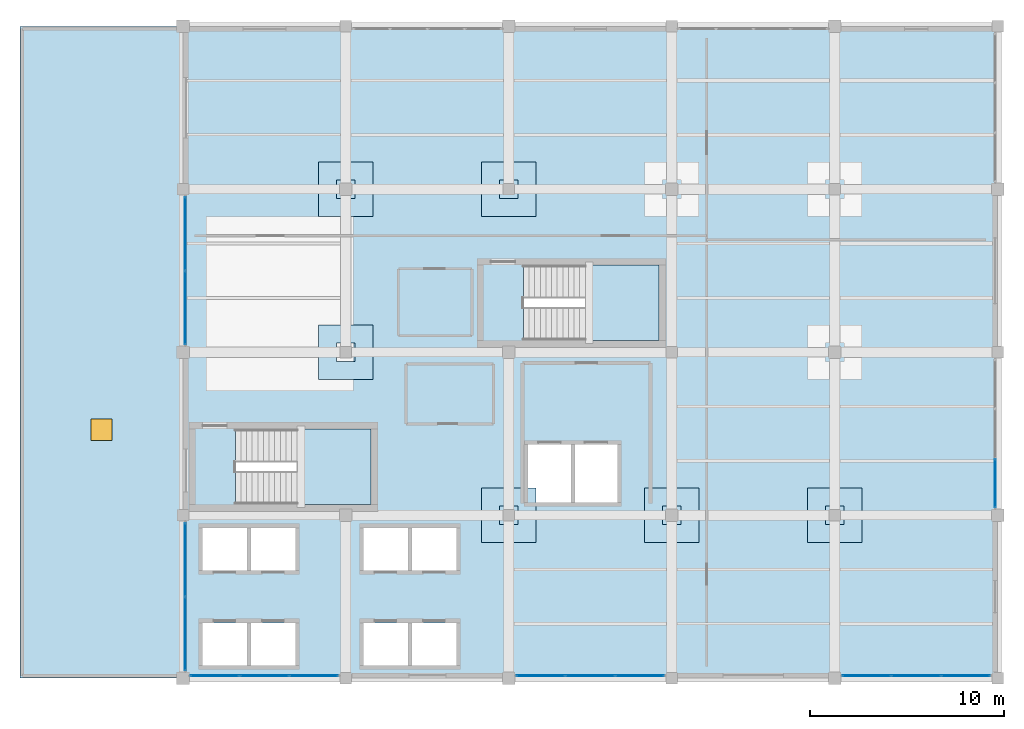
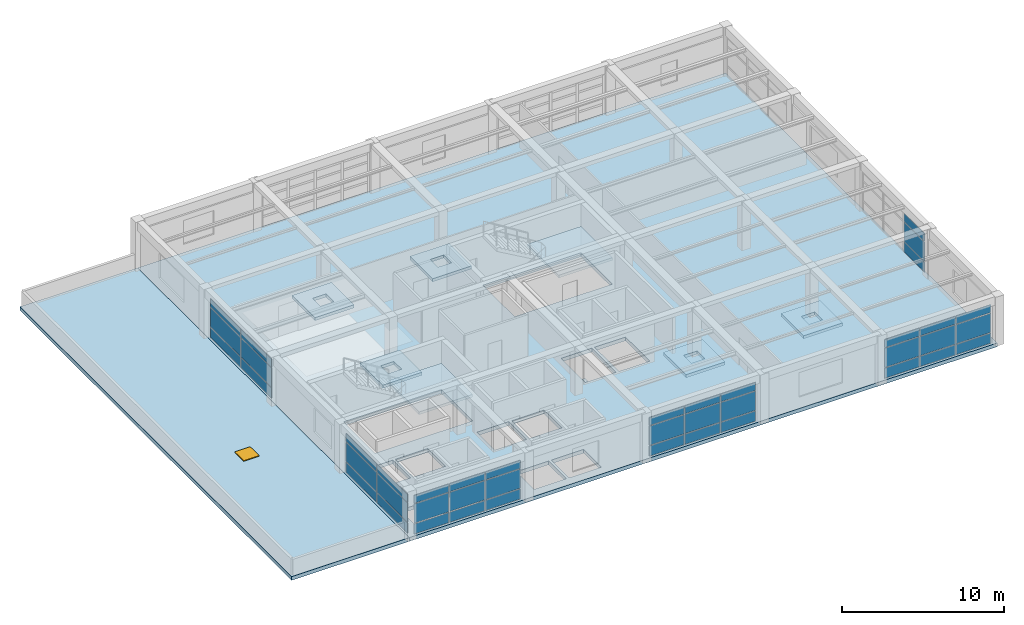
# One storey, part 22 of 26: 42 plates, 10 slabs, 1 door, 1 opening, 8 elements without a shape of their own.
"""IFC4 building model written with IfcOpenShell, lengths in metres."""

from ifc_helpers import new_model, si_unit, direction, frame, origin, origin_2d, place, context, subcontext, project, spatial, polyline, rectangle, outline, extrude, material, layer, layer_set, type_object, element, fill, aggregate, save


model = new_model("IFC4")

# Units and contexts
model_context = context("Model", 3, precision=1e-05, world=origin(), true_north=direction((0.0, 1.0)))
body_context = subcontext(model_context, "Body", "Model", "MODEL_VIEW")
ifc_project = project(units=[si_unit("LENGTHUNIT", "METRE"), si_unit("AREAUNIT", "SQUARE_METRE"), si_unit("VOLUMEUNIT", "CUBIC_METRE"), si_unit("PLANEANGLEUNIT", "RADIAN"), si_unit("MASSUNIT", "GRAM", prefix="KILO")], contexts=[model_context])

# Site, building, storey
site_placement = place(None, origin())
site = spatial("IfcSite", under=ifc_project, at=site_placement, CompositionType="ELEMENT")
building_placement = place(site_placement, origin())
building = spatial("IfcBuilding", under=site, at=building_placement, Name="Almacenes y Pasaje Nevantli", CompositionType="ELEMENT")
storey_placement = place(building_placement, frame((0.0, 0.0, 42.699951171875)))
storey = spatial("IfcBuildingStorey", under=building, at=storey_placement, Name="L10", CompositionType="ELEMENT", Elevation=42.699951171875)

# Curtain wall, plates
ifc_material_1 = material(Name="Thermally Broken Aluminium and Low-E Glass", Category="aluminium")
curtain_wall_type = type_object("IfcCurtainWallType", Name="CW-UNIT-TOWER", PredefinedType="USERDEFINED", material=ifc_material_1)
curtain_wall_1_placement = place(storey_placement, origin())
curtain_wall_1 = element("IfcCurtainWall", 1, at=curtain_wall_1_placement, inside=storey, type_object=curtain_wall_type, Name="L10 Tower South Unitized Curtain Wall Bay 15", ObjectType="UNITIZED CURTAIN WALL", PredefinedType="USERDEFINED")
ifc_material_2 = material(Name="Low-E Double Glazed Insulated Unit", Category="glass")
ifc_layer_1 = layer(ifc_material_2, 0.031982421875)
ifc_layer_set_1 = layer_set([ifc_layer_1], Name="Low-E Double Glazed Insulated Unit")
plate_type_1 = type_object("IfcPlateType", Name="PL-IGU-32", PredefinedType="CURTAIN_PANEL", material=ifc_layer_set_1)
plate_1_placement = place(storey_placement, frame((119.248291015625, 67.320068359375, 0.06005859375), z_axis=(0.0, 0.0, 1.0), x_axis=(1.0, 0.0, 0.0)))
plate_1 = element("IfcPlate", 2, at=plate_1_placement, type_object=plate_type_1, Name="CW-L10-141 panel 1.1", PredefinedType="CURTAIN_PANEL", context=body_context, shape_type="SweptSolid", body=[
    extrude(rectangle(XDim=2.4765625, YDim=0.031982421875, at=origin_2d()), origin(), (0.0, 0.0, 1.0), 0.760009765625),
])
plate_2_placement = place(storey_placement, frame((119.248291015625, 67.320068359375, 0.880126953125), z_axis=(0.0, 0.0, 1.0), x_axis=(1.0, 0.0, 0.0)))
plate_2 = element("IfcPlate", 3, at=plate_2_placement, type_object=plate_type_1, Name="CW-L10-141 panel 1.2", PredefinedType="CURTAIN_PANEL", context=body_context, shape_type="SweptSolid", body=[
    extrude(rectangle(XDim=2.4765625, YDim=0.031982421875, at=origin_2d()), origin(), (0.0, 0.0, 1.0), 1.43994140625),
])
plate_3_placement = place(storey_placement, frame((119.248291015625, 67.320068359375, 2.3798828125), z_axis=(0.0, 0.0, 1.0), x_axis=(1.0, 0.0, 0.0)))
plate_3 = element("IfcPlate", 4, at=plate_3_placement, type_object=plate_type_1, Name="CW-L10-141 panel 1.3", PredefinedType="CURTAIN_PANEL", context=body_context, shape_type="SweptSolid", body=[
    extrude(rectangle(XDim=2.4765625, YDim=0.031982421875, at=origin_2d()), origin(), (0.0, 0.0, 1.0), 0.60009765625),
])
plate_4_placement = place(storey_placement, frame((121.800048828125, 67.320068359375, 0.06005859375), z_axis=(0.0, 0.0, 1.0), x_axis=(1.0, 0.0, 0.0)))
plate_4 = element("IfcPlate", 5, at=plate_4_placement, type_object=plate_type_1, Name="CW-L10-141 panel 2.1", PredefinedType="CURTAIN_PANEL", context=body_context, shape_type="SweptSolid", body=[
    extrude(rectangle(XDim=2.506591796875, YDim=0.031982421875, at=origin_2d()), origin(), (0.0, 0.0, 1.0), 0.760009765625),
])
plate_5_placement = place(storey_placement, frame((121.800048828125, 67.320068359375, 0.880126953125), z_axis=(0.0, 0.0, 1.0), x_axis=(1.0, 0.0, 0.0)))
plate_5 = element("IfcPlate", 6, at=plate_5_placement, type_object=plate_type_1, Name="CW-L10-141 panel 2.2", PredefinedType="CURTAIN_PANEL", context=body_context, shape_type="SweptSolid", body=[
    extrude(rectangle(XDim=2.506591796875, YDim=0.031982421875, at=origin_2d()), origin(), (0.0, 0.0, 1.0), 1.43994140625),
])
plate_6_placement = place(storey_placement, frame((121.800048828125, 67.320068359375, 2.3798828125), z_axis=(0.0, 0.0, 1.0), x_axis=(1.0, 0.0, 0.0)))
plate_6 = element("IfcPlate", 7, at=plate_6_placement, type_object=plate_type_1, Name="CW-L10-141 panel 2.3", PredefinedType="CURTAIN_PANEL", context=body_context, shape_type="SweptSolid", body=[
    extrude(rectangle(XDim=2.506591796875, YDim=0.031982421875, at=origin_2d()), origin(), (0.0, 0.0, 1.0), 0.60009765625),
])
plate_7_placement = place(storey_placement, frame((124.3515625, 67.320068359375, 0.06005859375), z_axis=(0.0, 0.0, 1.0), x_axis=(1.0, 0.0, 0.0)))
plate_7 = element("IfcPlate", 8, at=plate_7_placement, type_object=plate_type_1, Name="CW-L10-141 panel 3.1", PredefinedType="CURTAIN_PANEL", context=body_context, shape_type="SweptSolid", body=[
    extrude(rectangle(XDim=2.4765625, YDim=0.031982421875, at=origin_2d()), origin(), (0.0, 0.0, 1.0), 0.760009765625),
])
plate_8_placement = place(storey_placement, frame((124.3515625, 67.320068359375, 0.880126953125), z_axis=(0.0, 0.0, 1.0), x_axis=(1.0, 0.0, 0.0)))
plate_8 = element("IfcPlate", 9, at=plate_8_placement, type_object=plate_type_1, Name="CW-L10-141 panel 3.2", PredefinedType="CURTAIN_PANEL", context=body_context, shape_type="SweptSolid", body=[
    extrude(rectangle(XDim=2.4765625, YDim=0.031982421875, at=origin_2d()), origin(), (0.0, 0.0, 1.0), 1.43994140625),
])
plate_9_placement = place(storey_placement, frame((124.3515625, 67.320068359375, 2.3798828125), z_axis=(0.0, 0.0, 1.0), x_axis=(1.0, 0.0, 0.0)))
plate_9 = element("IfcPlate", 10, at=plate_9_placement, type_object=plate_type_1, Name="CW-L10-141 panel 3.3", PredefinedType="CURTAIN_PANEL", context=body_context, shape_type="SweptSolid", body=[
    extrude(rectangle(XDim=2.4765625, YDim=0.031982421875, at=origin_2d()), origin(), (0.0, 0.0, 1.0), 0.60009765625),
])
aggregate(curtain_wall_1, [plate_1, plate_2, plate_3, plate_4, plate_5, plate_6, plate_7, plate_8, plate_9])

curtain_wall_2_placement = place(storey_placement, origin())
curtain_wall_2 = element("IfcCurtainWall", 11, at=curtain_wall_2_placement, inside=storey, type_object=curtain_wall_type, Name="L10 Tower South Unitized Curtain Wall Bay 17", ObjectType="UNITIZED CURTAIN WALL", PredefinedType="USERDEFINED")
plate_10_placement = place(storey_placement, frame((136.04833984375, 67.320068359375, 0.06005859375), z_axis=(0.0, 0.0, 1.0), x_axis=(1.0, 0.0, 0.0)))
plate_10 = element("IfcPlate", 12, at=plate_10_placement, type_object=plate_type_1, Name="CW-L10-143 panel 1.1", PredefinedType="CURTAIN_PANEL", context=body_context, shape_type="SweptSolid", body=[
    extrude(rectangle(XDim=2.4765625, YDim=0.031982421875, at=origin_2d()), origin(), (0.0, 0.0, 1.0), 0.760009765625),
])
plate_11_placement = place(storey_placement, frame((136.04833984375, 67.320068359375, 0.880126953125), z_axis=(0.0, 0.0, 1.0), x_axis=(1.0, 0.0, 0.0)))
plate_11 = element("IfcPlate", 13, at=plate_11_placement, type_object=plate_type_1, Name="CW-L10-143 panel 1.2", PredefinedType="CURTAIN_PANEL", context=body_context, shape_type="SweptSolid", body=[
    extrude(rectangle(XDim=2.4765625, YDim=0.031982421875, at=origin_2d()), origin(), (0.0, 0.0, 1.0), 1.43994140625),
])
plate_12_placement = place(storey_placement, frame((136.04833984375, 67.320068359375, 2.3798828125), z_axis=(0.0, 0.0, 1.0), x_axis=(1.0, 0.0, 0.0)))
plate_12 = element("IfcPlate", 14, at=plate_12_placement, type_object=plate_type_1, Name="CW-L10-143 panel 1.3", PredefinedType="CURTAIN_PANEL", context=body_context, shape_type="SweptSolid", body=[
    extrude(rectangle(XDim=2.4765625, YDim=0.031982421875, at=origin_2d()), origin(), (0.0, 0.0, 1.0), 0.60009765625),
])
plate_13_placement = place(storey_placement, frame((138.60009765625, 67.320068359375, 0.06005859375), z_axis=(0.0, 0.0, 1.0), x_axis=(1.0, 0.0, 0.0)))
plate_13 = element("IfcPlate", 15, at=plate_13_placement, type_object=plate_type_1, Name="CW-L10-143 panel 2.1", PredefinedType="CURTAIN_PANEL", context=body_context, shape_type="SweptSolid", body=[
    extrude(rectangle(XDim=2.506591796875, YDim=0.031982421875, at=origin_2d()), origin(), (0.0, 0.0, 1.0), 0.760009765625),
])
plate_14_placement = place(storey_placement, frame((138.60009765625, 67.320068359375, 0.880126953125), z_axis=(0.0, 0.0, 1.0), x_axis=(1.0, 0.0, 0.0)))
plate_14 = element("IfcPlate", 16, at=plate_14_placement, type_object=plate_type_1, Name="CW-L10-143 panel 2.2", PredefinedType="CURTAIN_PANEL", context=body_context, shape_type="SweptSolid", body=[
    extrude(rectangle(XDim=2.506591796875, YDim=0.031982421875, at=origin_2d()), origin(), (0.0, 0.0, 1.0), 1.43994140625),
])
plate_15_placement = place(storey_placement, frame((138.60009765625, 67.320068359375, 2.3798828125), z_axis=(0.0, 0.0, 1.0), x_axis=(1.0, 0.0, 0.0)))
plate_15 = element("IfcPlate", 17, at=plate_15_placement, type_object=plate_type_1, Name="CW-L10-143 panel 2.3", PredefinedType="CURTAIN_PANEL", context=body_context, shape_type="SweptSolid", body=[
    extrude(rectangle(XDim=2.506591796875, YDim=0.031982421875, at=origin_2d()), origin(), (0.0, 0.0, 1.0), 0.60009765625),
])
plate_16_placement = place(storey_placement, frame((141.151611328125, 67.320068359375, 0.06005859375), z_axis=(0.0, 0.0, 1.0), x_axis=(1.0, 0.0, 0.0)))
plate_16 = element("IfcPlate", 18, at=plate_16_placement, type_object=plate_type_1, Name="CW-L10-143 panel 3.1", PredefinedType="CURTAIN_PANEL", context=body_context, shape_type="SweptSolid", body=[
    extrude(rectangle(XDim=2.4765625, YDim=0.031982421875, at=origin_2d()), origin(), (0.0, 0.0, 1.0), 0.760009765625),
])
plate_17_placement = place(storey_placement, frame((141.151611328125, 67.320068359375, 0.880126953125), z_axis=(0.0, 0.0, 1.0), x_axis=(1.0, 0.0, 0.0)))
plate_17 = element("IfcPlate", 19, at=plate_17_placement, type_object=plate_type_1, Name="CW-L10-143 panel 3.2", PredefinedType="CURTAIN_PANEL", context=body_context, shape_type="SweptSolid", body=[
    extrude(rectangle(XDim=2.4765625, YDim=0.031982421875, at=origin_2d()), origin(), (0.0, 0.0, 1.0), 1.43994140625),
])
plate_18_placement = place(storey_placement, frame((141.151611328125, 67.320068359375, 2.3798828125), z_axis=(0.0, 0.0, 1.0), x_axis=(1.0, 0.0, 0.0)))
plate_18 = element("IfcPlate", 20, at=plate_18_placement, type_object=plate_type_1, Name="CW-L10-143 panel 3.3", PredefinedType="CURTAIN_PANEL", context=body_context, shape_type="SweptSolid", body=[
    extrude(rectangle(XDim=2.4765625, YDim=0.031982421875, at=origin_2d()), origin(), (0.0, 0.0, 1.0), 0.60009765625),
])
aggregate(curtain_wall_2, [plate_10, plate_11, plate_12, plate_13, plate_14, plate_15, plate_16, plate_17, plate_18])

curtain_wall_3_placement = place(storey_placement, origin())
curtain_wall_3 = element("IfcCurtainWall", 21, at=curtain_wall_3_placement, inside=storey, type_object=curtain_wall_type, Name="L10 Tower South Unitized Curtain Wall Bay 19", ObjectType="UNITIZED CURTAIN WALL", PredefinedType="USERDEFINED")
plate_19_placement = place(storey_placement, frame((152.848388671875, 67.320068359375, 0.06005859375), z_axis=(0.0, 0.0, 1.0), x_axis=(1.0, 0.0, 0.0)))
plate_19 = element("IfcPlate", 22, at=plate_19_placement, type_object=plate_type_1, Name="CW-L10-145 panel 1.1", PredefinedType="CURTAIN_PANEL", context=body_context, shape_type="SweptSolid", body=[
    extrude(rectangle(XDim=2.4765625, YDim=0.031982421875, at=origin_2d()), origin(), (0.0, 0.0, 1.0), 0.760009765625),
])
plate_20_placement = place(storey_placement, frame((152.848388671875, 67.320068359375, 0.880126953125), z_axis=(0.0, 0.0, 1.0), x_axis=(1.0, 0.0, 0.0)))
plate_20 = element("IfcPlate", 23, at=plate_20_placement, type_object=plate_type_1, Name="CW-L10-145 panel 1.2", PredefinedType="CURTAIN_PANEL", context=body_context, shape_type="SweptSolid", body=[
    extrude(rectangle(XDim=2.4765625, YDim=0.031982421875, at=origin_2d()), origin(), (0.0, 0.0, 1.0), 1.43994140625),
])
plate_21_placement = place(storey_placement, frame((152.848388671875, 67.320068359375, 2.3798828125), z_axis=(0.0, 0.0, 1.0), x_axis=(1.0, 0.0, 0.0)))
plate_21 = element("IfcPlate", 24, at=plate_21_placement, type_object=plate_type_1, Name="CW-L10-145 panel 1.3", PredefinedType="CURTAIN_PANEL", context=body_context, shape_type="SweptSolid", body=[
    extrude(rectangle(XDim=2.4765625, YDim=0.031982421875, at=origin_2d()), origin(), (0.0, 0.0, 1.0), 0.60009765625),
])
plate_22_placement = place(storey_placement, frame((155.39990234375, 67.320068359375, 0.06005859375), z_axis=(0.0, 0.0, 1.0), x_axis=(1.0, 0.0, 0.0)))
plate_22 = element("IfcPlate", 25, at=plate_22_placement, type_object=plate_type_1, Name="CW-L10-145 panel 2.1", PredefinedType="CURTAIN_PANEL", context=body_context, shape_type="SweptSolid", body=[
    extrude(rectangle(XDim=2.506591796875, YDim=0.031982421875, at=origin_2d()), origin(), (0.0, 0.0, 1.0), 0.760009765625),
])
plate_23_placement = place(storey_placement, frame((155.39990234375, 67.320068359375, 0.880126953125), z_axis=(0.0, 0.0, 1.0), x_axis=(1.0, 0.0, 0.0)))
plate_23 = element("IfcPlate", 26, at=plate_23_placement, type_object=plate_type_1, Name="CW-L10-145 panel 2.2", PredefinedType="CURTAIN_PANEL", context=body_context, shape_type="SweptSolid", body=[
    extrude(rectangle(XDim=2.506591796875, YDim=0.031982421875, at=origin_2d()), origin(), (0.0, 0.0, 1.0), 1.43994140625),
])
plate_24_placement = place(storey_placement, frame((155.39990234375, 67.320068359375, 2.3798828125), z_axis=(0.0, 0.0, 1.0), x_axis=(1.0, 0.0, 0.0)))
plate_24 = element("IfcPlate", 27, at=plate_24_placement, type_object=plate_type_1, Name="CW-L10-145 panel 2.3", PredefinedType="CURTAIN_PANEL", context=body_context, shape_type="SweptSolid", body=[
    extrude(rectangle(XDim=2.506591796875, YDim=0.031982421875, at=origin_2d()), origin(), (0.0, 0.0, 1.0), 0.60009765625),
])
plate_25_placement = place(storey_placement, frame((157.95166015625, 67.320068359375, 0.06005859375), z_axis=(0.0, 0.0, 1.0), x_axis=(1.0, 0.0, 0.0)))
plate_25 = element("IfcPlate", 28, at=plate_25_placement, type_object=plate_type_1, Name="CW-L10-145 panel 3.1", PredefinedType="CURTAIN_PANEL", context=body_context, shape_type="SweptSolid", body=[
    extrude(rectangle(XDim=2.4765625, YDim=0.031982421875, at=origin_2d()), origin(), (0.0, 0.0, 1.0), 0.760009765625),
])
plate_26_placement = place(storey_placement, frame((157.95166015625, 67.320068359375, 0.880126953125), z_axis=(0.0, 0.0, 1.0), x_axis=(1.0, 0.0, 0.0)))
plate_26 = element("IfcPlate", 29, at=plate_26_placement, type_object=plate_type_1, Name="CW-L10-145 panel 3.2", PredefinedType="CURTAIN_PANEL", context=body_context, shape_type="SweptSolid", body=[
    extrude(rectangle(XDim=2.4765625, YDim=0.031982421875, at=origin_2d()), origin(), (0.0, 0.0, 1.0), 1.43994140625),
])
plate_27_placement = place(storey_placement, frame((157.95166015625, 67.320068359375, 2.3798828125), z_axis=(0.0, 0.0, 1.0), x_axis=(1.0, 0.0, 0.0)))
plate_27 = element("IfcPlate", 30, at=plate_27_placement, type_object=plate_type_1, Name="CW-L10-145 panel 3.3", PredefinedType="CURTAIN_PANEL", context=body_context, shape_type="SweptSolid", body=[
    extrude(rectangle(XDim=2.4765625, YDim=0.031982421875, at=origin_2d()), origin(), (0.0, 0.0, 1.0), 0.60009765625),
])
aggregate(curtain_wall_3, [plate_19, plate_20, plate_21, plate_22, plate_23, plate_24, plate_25, plate_26, plate_27])

curtain_wall_4_placement = place(storey_placement, origin())
curtain_wall_4 = element("IfcCurtainWall", 31, at=curtain_wall_4_placement, inside=storey, type_object=curtain_wall_type, Name="L10 Tower West Curtain Wall Bay 9", ObjectType="UNITIZED CURTAIN WALL", PredefinedType="USERDEFINED")
plate_28_placement = place(storey_placement, frame((117.719970703125, 69.489990234375, 0.06005859375), z_axis=(0.0, 0.0, 1.0), x_axis=(0.0, 1.0, 0.0)))
plate_28 = element("IfcPlate", 32, at=plate_28_placement, type_object=plate_type_1, Name="CW-L10-146 panel 1.1", PredefinedType="CURTAIN_PANEL", context=body_context, shape_type="SweptSolid", body=[
    extrude(rectangle(XDim=3.760009765625, YDim=0.031982421875, at=origin_2d()), origin(), (0.0, 0.0, 1.0), 0.760009765625),
])
plate_29_placement = place(storey_placement, frame((117.719970703125, 69.489990234375, 0.880126953125), z_axis=(0.0, 0.0, 1.0), x_axis=(0.0, 1.0, 0.0)))
plate_29 = element("IfcPlate", 33, at=plate_29_placement, type_object=plate_type_1, Name="CW-L10-146 panel 1.2", PredefinedType="CURTAIN_PANEL", context=body_context, shape_type="SweptSolid", body=[
    extrude(rectangle(XDim=3.760009765625, YDim=0.031982421875, at=origin_2d()), origin(), (0.0, 0.0, 1.0), 1.43994140625),
])
plate_30_placement = place(storey_placement, frame((117.719970703125, 69.489990234375, 2.3798828125), z_axis=(0.0, 0.0, 1.0), x_axis=(0.0, 1.0, 0.0)))
plate_30 = element("IfcPlate", 34, at=plate_30_placement, type_object=plate_type_1, Name="CW-L10-146 panel 1.3", PredefinedType="CURTAIN_PANEL", context=body_context, shape_type="SweptSolid", body=[
    extrude(rectangle(XDim=3.760009765625, YDim=0.031982421875, at=origin_2d()), origin(), (0.0, 0.0, 1.0), 0.60009765625),
])
plate_31_placement = place(storey_placement, frame((117.719970703125, 73.31005859375, 0.06005859375), z_axis=(0.0, 0.0, 1.0), x_axis=(0.0, 1.0, 0.0)))
plate_31 = element("IfcPlate", 35, at=plate_31_placement, type_object=plate_type_1, Name="CW-L10-146 panel 2.1", PredefinedType="CURTAIN_PANEL", context=body_context, shape_type="SweptSolid", body=[
    extrude(rectangle(XDim=3.760009765625, YDim=0.031982421875, at=origin_2d()), origin(), (0.0, 0.0, 1.0), 0.760009765625),
])
plate_32_placement = place(storey_placement, frame((117.719970703125, 73.31005859375, 0.880126953125), z_axis=(0.0, 0.0, 1.0), x_axis=(0.0, 1.0, 0.0)))
plate_32 = element("IfcPlate", 36, at=plate_32_placement, type_object=plate_type_1, Name="CW-L10-146 panel 2.2", PredefinedType="CURTAIN_PANEL", context=body_context, shape_type="SweptSolid", body=[
    extrude(rectangle(XDim=3.760009765625, YDim=0.031982421875, at=origin_2d()), origin(), (0.0, 0.0, 1.0), 1.43994140625),
])
plate_33_placement = place(storey_placement, frame((117.719970703125, 73.31005859375, 2.3798828125), z_axis=(0.0, 0.0, 1.0), x_axis=(0.0, 1.0, 0.0)))
plate_33 = element("IfcPlate", 37, at=plate_33_placement, type_object=plate_type_1, Name="CW-L10-146 panel 2.3", PredefinedType="CURTAIN_PANEL", context=body_context, shape_type="SweptSolid", body=[
    extrude(rectangle(XDim=3.760009765625, YDim=0.031982421875, at=origin_2d()), origin(), (0.0, 0.0, 1.0), 0.60009765625),
])
aggregate(curtain_wall_4, [plate_28, plate_29, plate_30, plate_31, plate_32, plate_33])

curtain_wall_5_placement = place(storey_placement, origin())
curtain_wall_5 = element("IfcCurtainWall", 38, at=curtain_wall_5_placement, inside=storey, type_object=curtain_wall_type, Name="L10 Tower West Curtain Wall Bay 11", ObjectType="UNITIZED CURTAIN WALL", PredefinedType="USERDEFINED")
plate_34_placement = place(storey_placement, frame((117.719970703125, 86.2900390625, 0.06005859375), z_axis=(0.0, 0.0, 1.0), x_axis=(0.0, 1.0, 0.0)))
plate_34 = element("IfcPlate", 39, at=plate_34_placement, type_object=plate_type_1, Name="CW-L10-148 panel 1.1", PredefinedType="CURTAIN_PANEL", context=body_context, shape_type="SweptSolid", body=[
    extrude(rectangle(XDim=3.760009765625, YDim=0.031982421875, at=origin_2d()), origin(), (0.0, 0.0, 1.0), 0.760009765625),
])
plate_35_placement = place(storey_placement, frame((117.719970703125, 86.2900390625, 0.880126953125), z_axis=(0.0, 0.0, 1.0), x_axis=(0.0, 1.0, 0.0)))
plate_35 = element("IfcPlate", 40, at=plate_35_placement, type_object=plate_type_1, Name="CW-L10-148 panel 1.2", PredefinedType="CURTAIN_PANEL", context=body_context, shape_type="SweptSolid", body=[
    extrude(rectangle(XDim=3.760009765625, YDim=0.031982421875, at=origin_2d()), origin(), (0.0, 0.0, 1.0), 1.43994140625),
])
plate_36_placement = place(storey_placement, frame((117.719970703125, 86.2900390625, 2.3798828125), z_axis=(0.0, 0.0, 1.0), x_axis=(0.0, 1.0, 0.0)))
plate_36 = element("IfcPlate", 41, at=plate_36_placement, type_object=plate_type_1, Name="CW-L10-148 panel 1.3", PredefinedType="CURTAIN_PANEL", context=body_context, shape_type="SweptSolid", body=[
    extrude(rectangle(XDim=3.760009765625, YDim=0.031982421875, at=origin_2d()), origin(), (0.0, 0.0, 1.0), 0.60009765625),
])
plate_37_placement = place(storey_placement, frame((117.719970703125, 90.110107421875, 0.06005859375), z_axis=(0.0, 0.0, 1.0), x_axis=(0.0, 1.0, 0.0)))
plate_37 = element("IfcPlate", 42, at=plate_37_placement, type_object=plate_type_1, Name="CW-L10-148 panel 2.1", PredefinedType="CURTAIN_PANEL", context=body_context, shape_type="SweptSolid", body=[
    extrude(rectangle(XDim=3.760009765625, YDim=0.031982421875, at=origin_2d()), origin(), (0.0, 0.0, 1.0), 0.760009765625),
])
plate_38_placement = place(storey_placement, frame((117.719970703125, 90.110107421875, 0.880126953125), z_axis=(0.0, 0.0, 1.0), x_axis=(0.0, 1.0, 0.0)))
plate_38 = element("IfcPlate", 43, at=plate_38_placement, type_object=plate_type_1, Name="CW-L10-148 panel 2.2", PredefinedType="CURTAIN_PANEL", context=body_context, shape_type="SweptSolid", body=[
    extrude(rectangle(XDim=3.760009765625, YDim=0.031982421875, at=origin_2d()), origin(), (0.0, 0.0, 1.0), 1.43994140625),
])
plate_39_placement = place(storey_placement, frame((117.719970703125, 90.110107421875, 2.3798828125), z_axis=(0.0, 0.0, 1.0), x_axis=(0.0, 1.0, 0.0)))
plate_39 = element("IfcPlate", 44, at=plate_39_placement, type_object=plate_type_1, Name="CW-L10-148 panel 2.3", PredefinedType="CURTAIN_PANEL", context=body_context, shape_type="SweptSolid", body=[
    extrude(rectangle(XDim=3.760009765625, YDim=0.031982421875, at=origin_2d()), origin(), (0.0, 0.0, 1.0), 0.60009765625),
])
aggregate(curtain_wall_5, [plate_34, plate_35, plate_36, plate_37, plate_38, plate_39])

curtain_wall_6_placement = place(storey_placement, origin())
curtain_wall_6 = element("IfcCurtainWall", 45, at=curtain_wall_6_placement, inside=storey, type_object=curtain_wall_type, Name="L10 Tower East Curtain Wall Bay 10", ObjectType="UNITIZED CURTAIN WALL", PredefinedType="USERDEFINED")
ifc_material_3 = material(Name="Acoustic Tempered Low-E Triple Glazed Unit", Category="glass")
ifc_layer_2 = layer(ifc_material_3, 0.0419921875)
ifc_layer_set_2 = layer_set([ifc_layer_2], Name="Acoustic Tempered Low-E Triple Glazed Unit")
plate_type_2 = type_object("IfcPlateType", Name="PL-IGU-42", PredefinedType="CURTAIN_PANEL", material=ifc_layer_set_2)
plate_40_placement = place(storey_placement, frame((159.47998046875, 77.248291015625, 0.06005859375), z_axis=(0.0, 0.0, 1.0), x_axis=(0.0, 1.0, 0.0)))
plate_40 = element("IfcPlate", 46, at=plate_40_placement, type_object=plate_type_2, Name="CW-L10-147 panel 1.1", PredefinedType="CURTAIN_PANEL", context=body_context, shape_type="SweptSolid", body=[
    extrude(rectangle(XDim=2.4765625, YDim=0.0419921875, at=origin_2d()), origin(), (0.0, 0.0, 1.0), 0.760009765625),
])
plate_41_placement = place(storey_placement, frame((159.47998046875, 77.248291015625, 0.880126953125), z_axis=(0.0, 0.0, 1.0), x_axis=(0.0, 1.0, 0.0)))
plate_41 = element("IfcPlate", 47, at=plate_41_placement, type_object=plate_type_2, Name="CW-L10-147 panel 1.2", PredefinedType="CURTAIN_PANEL", context=body_context, shape_type="SweptSolid", body=[
    extrude(rectangle(XDim=2.4765625, YDim=0.0419921875, at=origin_2d()), origin(), (0.0, 0.0, 1.0), 1.43994140625),
])
plate_42_placement = place(storey_placement, frame((159.47998046875, 77.248291015625, 2.3798828125), z_axis=(0.0, 0.0, 1.0), x_axis=(0.0, 1.0, 0.0)))
plate_42 = element("IfcPlate", 48, at=plate_42_placement, type_object=plate_type_2, Name="CW-L10-147 panel 1.3", PredefinedType="CURTAIN_PANEL", context=body_context, shape_type="SweptSolid", body=[
    extrude(rectangle(XDim=2.4765625, YDim=0.0419921875, at=origin_2d()), origin(), (0.0, 0.0, 1.0), 0.60009765625),
])
aggregate(curtain_wall_6, [plate_40, plate_41, plate_42])

# Slabs
ifc_material_4 = material(Name="Concrete C35/45", Category="concrete")
ifc_layer_3 = layer(ifc_material_4, 0.22998046875)
ifc_layer_set_3 = layer_set([ifc_layer_3], Name="Concrete C35/45")
slab_type_1 = type_object("IfcSlabType", Name="SLB-DP-230", PredefinedType="USERDEFINED", material=ifc_layer_set_3)
slab_1_placement = place(storey_placement, frame((0.0, 0.0, -0.510009765625)))
element("IfcSlab", 49, at=slab_1_placement, inside=storey, type_object=slab_type_1, Name="L10 Punching-Shear Drop Panel DP-01 #1143", ObjectType="DROP PANEL", PredefinedType="USERDEFINED", context=body_context, shape_type="SweptSolid", body=[
    extrude(outline(polyline([(124.60009765625, 82.60009765625), (127.39990234375, 82.60009765625), (127.39990234375, 85.39990234375), (124.60009765625, 85.39990234375), (124.60009765625, 82.60009765625)]), holes=[polyline([(125.52001953125, 83.52001953125), (126.47998046875, 83.52001953125), (126.47998046875, 84.47998046875), (125.52001953125, 84.47998046875), (125.52001953125, 83.52001953125)])]), origin(), (0.0, 0.0, 1.0), 0.22998046875),
])
slab_2_placement = place(storey_placement, frame((0.0, 0.0, -0.510009765625)))
element("IfcSlab", 50, at=slab_2_placement, inside=storey, type_object=slab_type_1, Name="L10 Punching-Shear Drop Panel DP-01 #1144", ObjectType="DROP PANEL", PredefinedType="USERDEFINED", context=body_context, shape_type="SweptSolid", body=[
    extrude(outline(polyline([(124.60009765625, 91.0), (127.39990234375, 91.0), (127.39990234375, 93.800048828125), (124.60009765625, 93.800048828125), (124.60009765625, 91.0)]), holes=[polyline([(125.52001953125, 91.919921875), (126.47998046875, 91.919921875), (126.47998046875, 92.8798828125), (125.52001953125, 92.8798828125), (125.52001953125, 91.919921875)])]), origin(), (0.0, 0.0, 1.0), 0.22998046875),
])
slab_3_placement = place(storey_placement, frame((0.0, 0.0, -0.510009765625)))
element("IfcSlab", 51, at=slab_3_placement, inside=storey, type_object=slab_type_1, Name="L10 Punching-Shear Drop Panel DP-01 #1145", ObjectType="DROP PANEL", PredefinedType="USERDEFINED", context=body_context, shape_type="SweptSolid", body=[
    extrude(outline(polyline([(133.0, 74.199951171875), (135.800048828125, 74.199951171875), (135.800048828125, 77.0), (133.0, 77.0), (133.0, 74.199951171875)]), holes=[polyline([(133.919921875, 75.1201171875), (134.8798828125, 75.1201171875), (134.8798828125, 76.080078125), (133.919921875, 76.080078125), (133.919921875, 75.1201171875)])]), origin(), (0.0, 0.0, 1.0), 0.22998046875),
])
slab_4_placement = place(storey_placement, frame((0.0, 0.0, -0.510009765625)))
element("IfcSlab", 52, at=slab_4_placement, inside=storey, type_object=slab_type_1, Name="L10 Punching-Shear Drop Panel DP-01 #1146", ObjectType="DROP PANEL", PredefinedType="USERDEFINED", context=body_context, shape_type="SweptSolid", body=[
    extrude(outline(polyline([(133.0, 91.0), (135.800048828125, 91.0), (135.800048828125, 93.800048828125), (133.0, 93.800048828125), (133.0, 91.0)]), holes=[polyline([(133.919921875, 91.919921875), (134.8798828125, 91.919921875), (134.8798828125, 92.8798828125), (133.919921875, 92.8798828125), (133.919921875, 91.919921875)])]), origin(), (0.0, 0.0, 1.0), 0.22998046875),
])
slab_5_placement = place(storey_placement, frame((0.0, 0.0, -0.510009765625)))
element("IfcSlab", 53, at=slab_5_placement, inside=storey, type_object=slab_type_1, Name="L10 Punching-Shear Drop Panel DP-01 #1147", ObjectType="DROP PANEL", PredefinedType="USERDEFINED", context=body_context, shape_type="SweptSolid", body=[
    extrude(outline(polyline([(141.39990234375, 74.199951171875), (144.199951171875, 74.199951171875), (144.199951171875, 77.0), (141.39990234375, 77.0), (141.39990234375, 74.199951171875)]), holes=[polyline([(142.320068359375, 75.1201171875), (143.280029296875, 75.1201171875), (143.280029296875, 76.080078125), (142.320068359375, 76.080078125), (142.320068359375, 75.1201171875)])]), origin(), (0.0, 0.0, 1.0), 0.22998046875),
])
slab_6_placement = place(storey_placement, frame((0.0, 0.0, -0.510009765625)))
element("IfcSlab", 54, at=slab_6_placement, inside=storey, type_object=slab_type_1, Name="L10 Punching-Shear Drop Panel DP-01 #1149", ObjectType="DROP PANEL", PredefinedType="USERDEFINED", context=body_context, shape_type="SweptSolid", body=[
    extrude(outline(polyline([(149.800048828125, 74.199951171875), (152.60009765625, 74.199951171875), (152.60009765625, 77.0), (149.800048828125, 77.0), (149.800048828125, 74.199951171875)]), holes=[polyline([(150.719970703125, 75.1201171875), (151.679931640625, 75.1201171875), (151.679931640625, 76.080078125), (150.719970703125, 76.080078125), (150.719970703125, 75.1201171875)])]), origin(), (0.0, 0.0, 1.0), 0.22998046875),
])
ifc_material_5 = material(Name="Concrete C35/45", Category="concrete")
ifc_layer_4 = layer(ifc_material_5, 0.280029296875)
ifc_layer_set_4 = layer_set([ifc_layer_4], Name="Concrete C35/45")
slab_type_2 = type_object("IfcSlabType", Name="SLB-FLR-280", PredefinedType="FLOOR", material=ifc_layer_set_4)
slab_7_placement = place(storey_placement, frame((0.0, 0.0, -0.280029296875)))
element("IfcSlab", 55, at=slab_7_placement, inside=storey, type_object=slab_type_2, Name="L10 Corporate Office Tower Floor Slab", PredefinedType="FLOOR", context=body_context, shape_type="SweptSolid", body=[
    extrude(outline(polyline([(117.60009765625, 67.199951171875), (159.60009765625, 67.199951171875), (159.60009765625, 100.800048828125), (117.60009765625, 100.800048828125), (117.60009765625, 67.199951171875)]), holes=[polyline([(120.31494140625, 76.14990234375), (127.300048828125, 76.14990234375), (127.300048828125, 80.0400390625), (120.31494140625, 80.0400390625), (120.31494140625, 76.14990234375)]), polyline([(135.1650390625, 84.60009765625), (142.14990234375, 84.60009765625), (142.14990234375, 88.489990234375), (135.1650390625, 88.489990234375), (135.1650390625, 84.60009765625)]), polyline([(126.89990234375, 67.85009765625), (129.199951171875, 67.85009765625), (129.199951171875, 70.050048828125), (126.89990234375, 70.050048828125), (126.89990234375, 67.85009765625)]), polyline([(129.39990234375, 67.85009765625), (131.699951171875, 67.85009765625), (131.699951171875, 70.050048828125), (129.39990234375, 70.050048828125), (129.39990234375, 67.85009765625)]), polyline([(126.89990234375, 72.75), (129.199951171875, 72.75), (129.199951171875, 74.949951171875), (126.89990234375, 74.949951171875), (126.89990234375, 72.75)]), polyline([(129.39990234375, 72.75), (131.699951171875, 72.75), (131.699951171875, 74.949951171875), (129.39990234375, 74.949951171875), (129.39990234375, 72.75)]), polyline([(118.60009765625, 67.85009765625), (120.89990234375, 67.85009765625), (120.89990234375, 70.050048828125), (118.60009765625, 70.050048828125), (118.60009765625, 67.85009765625)]), polyline([(121.10009765625, 67.85009765625), (123.39990234375, 67.85009765625), (123.39990234375, 70.050048828125), (121.10009765625, 70.050048828125), (121.10009765625, 67.85009765625)]), polyline([(118.60009765625, 72.75), (120.89990234375, 72.75), (120.89990234375, 74.949951171875), (118.60009765625, 74.949951171875), (118.60009765625, 72.75)]), polyline([(121.10009765625, 72.75), (123.39990234375, 72.75), (123.39990234375, 74.949951171875), (121.10009765625, 74.949951171875), (121.10009765625, 72.75)]), polyline([(135.39990234375, 76.25), (137.60009765625, 76.25), (137.60009765625, 79.25), (135.39990234375, 79.25), (135.39990234375, 76.25)]), polyline([(137.800048828125, 76.25), (140.0, 76.25), (140.0, 79.25), (137.800048828125, 79.25), (137.800048828125, 76.25)])]), origin(), (0.0, 0.0, 1.0), 0.280029296875),
])

# Stair, slab
ifc_material_6 = material(Name="Concrete C35/45", Category="concrete")
stair_type = type_object("IfcStairType", Name="STR-CORE-1720", PredefinedType="HALF_TURN_STAIR", material=ifc_material_6)
stair_1_placement = place(storey_placement, origin())
stair_1 = element("IfcStair", 56, at=stair_1_placement, inside=storey, type_object=stair_type, Name="L10 Staircase ST-01", PredefinedType="HALF_TURN_STAIR")
ifc_material_7 = material(Name="Concrete C35/45", Category="concrete")
ifc_layer_5 = layer(ifc_material_7, 0.199951171875)
ifc_layer_set_5 = layer_set([ifc_layer_5], Name="Concrete C35/45")
slab_type_3 = type_object("IfcSlabType", Name="SLB-LAND-200", PredefinedType="LANDING", material=ifc_layer_set_5)
slab_8_placement = place(storey_placement, frame((0.0, 0.0, 1.800048828125)))
slab_8 = element("IfcSlab", 57, at=slab_8_placement, type_object=slab_type_3, Name="ST-01-L10 landing 1", PredefinedType="LANDING", context=body_context, shape_type="SweptSolid", body=[
    extrude(outline(polyline([(123.47509765625, 76.14990234375), (127.300048828125, 76.14990234375), (127.300048828125, 80.0400390625), (123.47509765625, 80.0400390625), (123.47509765625, 76.14990234375)])), origin(), (0.0, 0.0, 1.0), 0.199951171875),
])
aggregate(stair_1, [slab_8])

stair_2_placement = place(storey_placement, origin())
stair_2 = element("IfcStair", 58, at=stair_2_placement, inside=storey, type_object=stair_type, Name="L10 Staircase ST-02", PredefinedType="HALF_TURN_STAIR")
slab_9_placement = place(storey_placement, frame((0.0, 0.0, 1.800048828125)))
slab_9 = element("IfcSlab", 59, at=slab_9_placement, type_object=slab_type_3, Name="ST-02-L10 landing 1", PredefinedType="LANDING", context=body_context, shape_type="SweptSolid", body=[
    extrude(outline(polyline([(138.324951171875, 84.60009765625), (142.14990234375, 84.60009765625), (142.14990234375, 88.489990234375), (138.324951171875, 88.489990234375), (138.324951171875, 84.60009765625)])), origin(), (0.0, 0.0, 1.0), 0.199951171875),
])
aggregate(stair_2, [slab_9])

# Slab, opening, door
ifc_material_8 = material(Name="Concrete C35/45", Category="concrete")
ifc_layer_6 = layer(ifc_material_8, 0.280029296875)
ifc_layer_set_6 = layer_set([ifc_layer_6], Name="Concrete C35/45")
slab_type_4 = type_object("IfcSlabType", Name="SLB-ROOF-280", PredefinedType="ROOF", material=ifc_layer_set_6)
slab_10_placement = place(storey_placement, frame((0.0, 0.0, -0.280029296875)))
slab_10 = element("IfcSlab", 60, at=slab_10_placement, inside=storey, type_object=slab_type_4, Name="L10 West Tower Setback Maintenance Roof Slab", PredefinedType="ROOF", context=body_context, shape_type="SweptSolid", body=[
    extrude(outline(polyline([(109.199951171875, 67.199951171875), (117.60009765625, 67.199951171875), (117.60009765625, 100.800048828125), (109.199951171875, 100.800048828125), (109.199951171875, 67.199951171875)])), origin(), (0.0, 0.0, 1.0), 0.280029296875),
])
opening_placement = place(slab_10_placement, frame((113.39990234375, 80.0, -0.010009765625)))
opening = element("IfcOpeningElement", 61, at=opening_placement, cuts=slab_10, Name="Opening HT-004", PredefinedType="OPENING", context=body_context, shape_type="SweptSolid", body=[
    extrude(rectangle(XDim=1.10009765625, YDim=1.10009765625, at=origin_2d()), origin(), (0.0, 0.0, 1.0), 0.35009765625),
])
ifc_material_9 = material(Name="Galvanized Insulated Steel", Category="steel")
door_type = type_object("IfcDoorType", Name="DR-HATCH-1100", OperationType="SINGLE_SWING_LEFT", PredefinedType="TRAPDOOR", material=ifc_material_9)
door_placement = place(slab_10_placement, frame((113.39990234375, 80.0, 0.280029296875)))
door = element("IfcDoor", 62, at=door_placement, inside=storey, type_object=door_type, Name="L10 Setback Maintenance Roof Access Hatch", OperationType="SINGLE_SWING_LEFT", OverallHeight=1.10009765625, OverallWidth=1.10009765625, PredefinedType="TRAPDOOR", context=body_context, shape_type="SweptSolid", body=[
    extrude(rectangle(XDim=1.10009765625, YDim=1.10009765625, at=origin_2d()), origin(), (0.0, 0.0, 1.0), 0.050048828125),
])
fill(opening, door)

save(model, "model.ifc")
